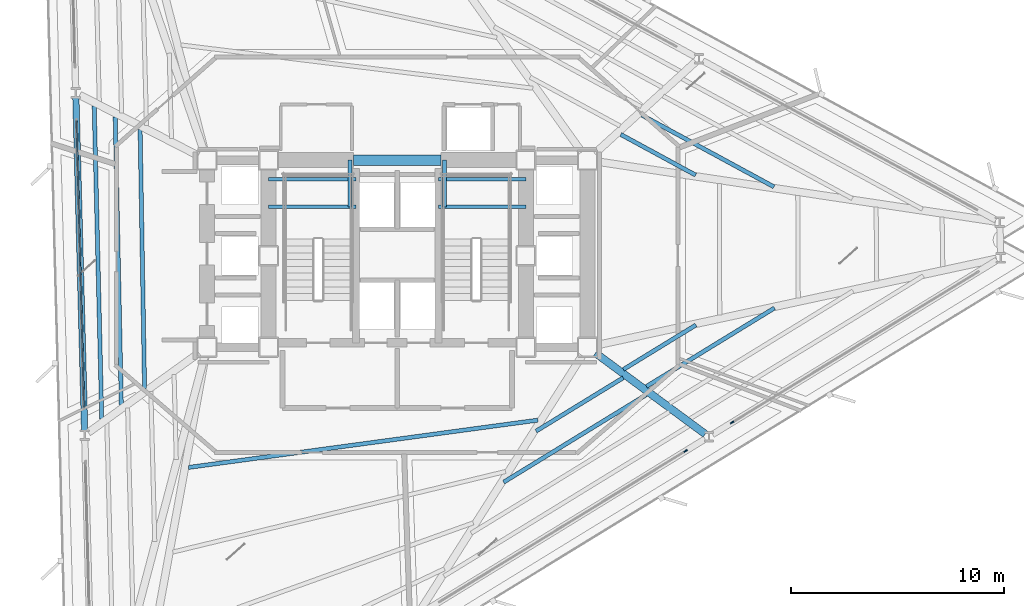
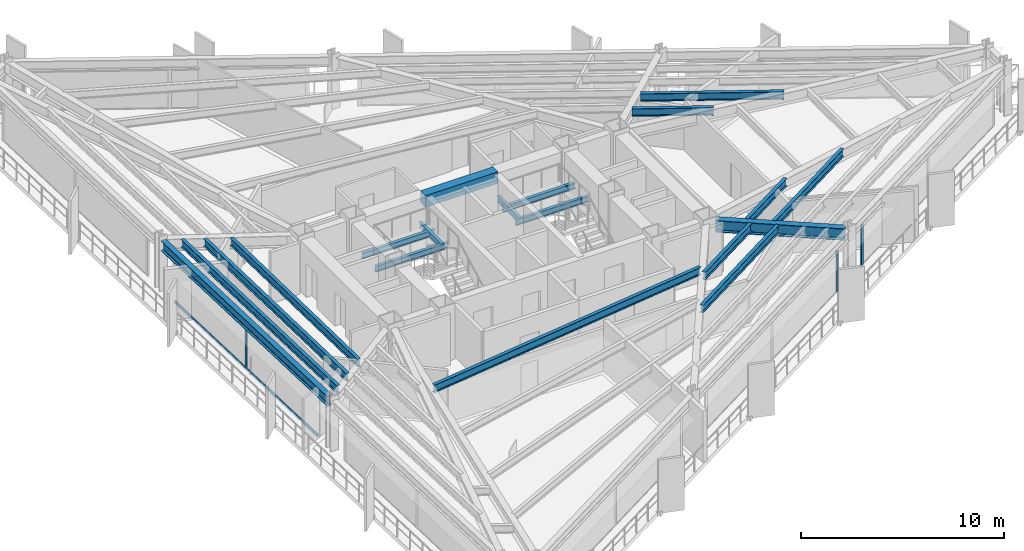
# One storey, part 3 of 14: 19 beams, 7 members, 3 elements without a shape of their own.
"""IFC4 building model written with IfcOpenShell, lengths in metres."""

from ifc_helpers import new_model, si_unit, direction, frame, origin, origin_2d, place, context, subcontext, project, spatial, rectangle, i_section, extrude, material, layer, layer_set, material_profile, profile_set, type_object, element, aggregate, save


model = new_model("IFC4")

# Units and contexts
model_context = context("Model", 3, precision=1e-05, world=origin(), true_north=direction((0.0, 1.0)))
body_context = subcontext(model_context, "Body", "Model", "MODEL_VIEW")
ifc_project = project(units=[si_unit("LENGTHUNIT", "METRE"), si_unit("AREAUNIT", "SQUARE_METRE"), si_unit("VOLUMEUNIT", "CUBIC_METRE"), si_unit("PLANEANGLEUNIT", "RADIAN"), si_unit("MASSUNIT", "GRAM", prefix="KILO")], contexts=[model_context])

# Site, building, storey
site_placement = place(None, origin())
site = spatial("IfcSite", under=ifc_project, at=site_placement, CompositionType="ELEMENT")
building_placement = place(site_placement, origin())
building = spatial("IfcBuilding", under=site, at=building_placement, Name="Rocaltana Carrier Exchange", CompositionType="ELEMENT")
storey_placement = place(building_placement, frame((0.0, 0.0, 25.60009765625)))
storey = spatial("IfcBuildingStorey", under=building, at=storey_placement, Name="L08", CompositionType="ELEMENT", Elevation=25.60009765625)

# Curtain wall, member
ifc_material_1 = material(Name="Aluminium 6063-T6", Category="aluminium")
ifc_layer = layer(ifc_material_1, 0.179931640625)
ifc_layer_set = layer_set([ifc_layer], Name="Aluminium 6063-T6")
curtain_wall_type = type_object("IfcCurtainWallType", Name="Sandstone Spandrel Unitised Curtain Wall CW-01", PredefinedType="NOTDEFINED", material=ifc_layer_set)
curtain_wall_1_placement = place(storey_placement, origin())
curtain_wall_1 = element("IfcCurtainWall", 1, at=curtain_wall_1_placement, inside=storey, type_object=curtain_wall_type, Name="L08 CW-01 Run CW-L08-F2S2", PredefinedType="NOTDEFINED")
ifc_material_2 = material(Name="Aluminium 6063-T6", Category="aluminium")
ifc_material_profile_1 = material_profile(ifc_material_2, rectangle(XDim=0.06494140625, YDim=0.179931640625, at=origin_2d()), Name="AL-65X180")
ifc_profile_set_1 = profile_set([ifc_material_profile_1], Name="Aluminium 6063-T6")
member_type_1 = type_object("IfcMemberType", Name="CW-01 Mullion AL-65X180", PredefinedType="MULLION", material=ifc_profile_set_1)
member_1_placement = place(storey_placement, frame((-14.91064453125, -0.390380859375, 0.0), z_axis=(0.0, 0.0, 1.0), x_axis=(0.99965733548, 0.026176547142, 0.0)))
member_1 = element("IfcMember", 2, at=member_1_placement, type_object=member_type_1, Name="CW-01 mullion 2", PredefinedType="MULLION", context=body_context, shape_type="SweptSolid", body=[
    extrude(rectangle(XDim=0.06494140625, YDim=0.179931640625, at=origin_2d()), origin(), (0.0, 0.0, 1.0), 2.477783203125),
])

curtain_wall_2_placement = place(storey_placement, origin())
curtain_wall_2 = element("IfcCurtainWall", 3, at=curtain_wall_2_placement, inside=storey, type_object=curtain_wall_type, Name="L08 CW-01 Run CW-L08-F3S2", PredefinedType="NOTDEFINED")
member_2_placement = place(storey_placement, frame((13.563720703125, -9.181884765625, 0.0), z_axis=(0.0, 0.0, 1.0), x_axis=(-0.522499812415, 0.852639399762, 0.0)))
member_2 = element("IfcMember", 4, at=member_2_placement, type_object=member_type_1, Name="CW-01 mullion 3", PredefinedType="MULLION", context=body_context, shape_type="SweptSolid", body=[
    extrude(rectangle(XDim=0.06494140625, YDim=0.179931640625, at=origin_2d()), origin(), (0.0, 0.0, 1.0), 2.477783203125),
])
aggregate(curtain_wall_2, [member_2])

curtain_wall_3_placement = place(storey_placement, origin())
curtain_wall_3 = element("IfcCurtainWall", 5, at=curtain_wall_3_placement, inside=storey, type_object=curtain_wall_type, Name="L08 CW-01 Run CW-L08-F3S3", PredefinedType="NOTDEFINED")
member_3_placement = place(storey_placement, frame((15.750732421875, -7.841552734375, 0.0), z_axis=(0.0, 0.0, 1.0), x_axis=(-0.522499812415, 0.852639399762, 0.0)))
member_3 = element("IfcMember", 6, at=member_3_placement, type_object=member_type_1, Name="CW-01 mullion 1", PredefinedType="MULLION", context=body_context, shape_type="SweptSolid", body=[
    extrude(rectangle(XDim=0.06494140625, YDim=0.179931640625, at=origin_2d()), origin(), (0.0, 0.0, 1.0), 2.477783203125),
])
aggregate(curtain_wall_3, [member_3])

# Member
ifc_material_3 = material(Name="Aluminium 6063-T6", Category="aluminium")
ifc_material_profile_2 = material_profile(ifc_material_3, rectangle(XDim=0.06494140625, YDim=0.179931640625, at=origin_2d()), Name="AL-65X180")
ifc_profile_set_2 = profile_set([ifc_material_profile_2], Name="Aluminium 6063-T6")
member_type_2 = type_object("IfcMemberType", Name="CW-01 Transom AL-65X180", PredefinedType="USERDEFINED", material=ifc_profile_set_2)
member_4_placement = place(storey_placement, frame((-15.0869140625, 6.34228515625, 0.032470703125), z_axis=(0.026153417925, -0.999657940863, 0.0), x_axis=(0.999657940863, 0.026153417925, 0.0)))
member_4 = element("IfcMember", 7, at=member_4_placement, type_object=member_type_2, Name="CW-01 transom 1.1", ObjectType="TRANSOM", PredefinedType="USERDEFINED", context=body_context, shape_type="SweptSolid", body=[
    extrude(rectangle(XDim=0.06494140625, YDim=0.179931640625, at=origin_2d()), origin(), (0.0, 0.0, 1.0), 6.702392578125),
])

member_5_placement = place(storey_placement, frame((-15.0869140625, 6.34228515625, 2.4453125), z_axis=(0.026153417925, -0.999657940863, 0.0), x_axis=(0.999657940863, 0.026153417925, 0.0)))
member_5 = element("IfcMember", 8, at=member_5_placement, type_object=member_type_2, Name="CW-01 transom 1.2", ObjectType="TRANSOM", PredefinedType="USERDEFINED", context=body_context, shape_type="SweptSolid", body=[
    extrude(rectangle(XDim=0.06494140625, YDim=0.179931640625, at=origin_2d()), origin(), (0.0, 0.0, 1.0), 6.702392578125),
])

member_6_placement = place(storey_placement, frame((-14.909912109375, -0.4228515625, 0.032470703125), z_axis=(0.026189818331, -0.999656987879, 0.0), x_axis=(0.999656987879, 0.026189818331, 0.0)))
member_6 = element("IfcMember", 9, at=member_6_placement, type_object=member_type_2, Name="CW-01 transom 2.1", ObjectType="TRANSOM", PredefinedType="USERDEFINED", context=body_context, shape_type="SweptSolid", body=[
    extrude(rectangle(XDim=0.06494140625, YDim=0.179931640625, at=origin_2d()), origin(), (0.0, 0.0, 1.0), 6.702392578125),
])

member_7_placement = place(storey_placement, frame((-14.909912109375, -0.4228515625, 2.4453125), z_axis=(0.026189818331, -0.999656987879, 0.0), x_axis=(0.999656987879, 0.026189818331, 0.0)))
member_7 = element("IfcMember", 10, at=member_7_placement, type_object=member_type_2, Name="CW-01 transom 2.2", ObjectType="TRANSOM", PredefinedType="USERDEFINED", context=body_context, shape_type="SweptSolid", body=[
    extrude(rectangle(XDim=0.06494140625, YDim=0.179931640625, at=origin_2d()), origin(), (0.0, 0.0, 1.0), 6.702392578125),
])

aggregate(curtain_wall_1, [member_1, member_4, member_5, member_6, member_7])

# Beams
ifc_material_4 = material(Name="Concrete C60/75", Category="concrete")
ifc_material_profile_3 = material_profile(ifc_material_4, rectangle(XDim=0.5, YDim=0.699951171875, at=origin_2d()), Name="RC-BM-500X700")
ifc_profile_set_3 = profile_set([ifc_material_profile_3], Name="Concrete C60/75")
beam_type_1 = type_object("IfcBeamType", Name="Core Coupling Lintel 500x700", PredefinedType="LINTEL", material=ifc_profile_set_3)
beam_1_placement = place(storey_placement, frame((-2.050048828125, 4.5, 2.747802734375), z_axis=(1.0, 0.0, 0.0), x_axis=(0.0, 1.0, 0.0)))
element("IfcBeam", 11, at=beam_1_placement, inside=storey, type_object=beam_type_1, Name="L08 Core Coupling Lintel CL-N", PredefinedType="LINTEL", context=body_context, shape_type="SweptSolid", body=[
    extrude(rectangle(XDim=0.5, YDim=0.699951171875, at=origin_2d()), origin(), (0.0, 0.0, 1.0), 4.10009765625),
])
ifc_material_5 = material(Name="Steel S355", Category="steel")
ifc_material_profile_4 = material_profile(ifc_material_5, i_section(OverallWidth=0.172119140625, OverallDepth=0.35791015625, WebThickness=0.0078125, FlangeThickness=0.01318359375, FilletRadius=0.011962890625, at=origin_2d()), Name="W14X38")
ifc_profile_set_4 = profile_set([ifc_material_profile_4], Name="Steel S355")
beam_type_2 = type_object("IfcBeamType", Name="Floor Joist W14X38", PredefinedType="JOIST", material=ifc_profile_set_4)
for number, where, z_axis, x_axis, name in (
    (12, (-6.050048828125, 2.300048828125, 1.30078125), (1.0, 0.0, 0.0), (0.0, 1.0, 0.0), "L08 ST-1 Landing Carrier 1"),
    (13, (1.93994140625, 2.300048828125, 1.30078125), (1.0, 0.0, 0.0), (0.0, 1.0, 0.0), "L08 ST-2 Landing Carrier 1"),
    (14, (-6.050048828125, 3.60009765625, 1.30078125), (1.0, 0.0, 0.0), (0.0, 1.0, 0.0), "L08 ST-1 Landing Carrier 2"),
    (15, (1.93994140625, 3.60009765625, 1.30078125), (1.0, 0.0, 0.0), (0.0, 1.0, 0.0), "L08 ST-2 Landing Carrier 2"),
):
    element("IfcBeam", number, at=place(storey_placement, frame(where, z_axis=z_axis, x_axis=x_axis)), inside=storey, type_object=beam_type_2, Name=name, PredefinedType="JOIST", context=body_context, shape_type="SweptSolid", body=[
        extrude(i_section(OverallWidth=0.172119140625, OverallDepth=0.35791015625, WebThickness=0.0078125, FlangeThickness=0.01318359375, FilletRadius=0.011962890625, at=origin_2d()), origin(), (0.0, 0.0, 1.0), 4.110107421875),
    ])
for number, where, z_axis, x_axis, name in (
    (16, (-2.219970703125, 2.300048828125, 1.30078125), (0.0, 1.0, 0.0), (-1.0, 0.0, 0.0), "L08 ST-1 Landing Cross Trimmer"),
    (17, (2.219970703125, 2.300048828125, 1.30078125), (0.0, 1.0, 0.0), (-1.0, 0.0, 0.0), "L08 ST-2 Landing Cross Trimmer"),
):
    element("IfcBeam", number, at=place(storey_placement, frame(where, z_axis=z_axis, x_axis=x_axis)), inside=storey, type_object=beam_type_2, Name=name, PredefinedType="JOIST", context=body_context, shape_type="SweptSolid", body=[
        extrude(i_section(OverallWidth=0.172119140625, OverallDepth=0.35791015625, WebThickness=0.0078125, FlangeThickness=0.01318359375, FilletRadius=0.011962890625, at=origin_2d()), origin(), (0.0, 0.0, 1.0), 2.199951171875),
    ])
ifc_material_6 = material(Name="Steel S355", Category="steel")
ifc_material_profile_5 = material_profile(ifc_material_6, i_section(OverallWidth=0.193115234375, OverallDepth=0.466064453125, WebThickness=0.011474609375, FlangeThickness=0.01904296875, FilletRadius=0.013916015625, at=origin_2d()), Name="W18X65")
ifc_profile_set_5 = profile_set([ifc_material_profile_5], Name="Steel S355")
beam_type_3 = type_object("IfcBeamType", Name="Floor Joist W18X65", PredefinedType="JOIST", material=ifc_profile_set_5)
beam_2_placement = place(storey_placement, frame((14.03466796875, 3.794921875, 2.864990234375), z_axis=(-0.878819095461, 0.477155108381, 0.0), x_axis=(-0.477155108381, -0.878819095461, 0.0)))
element("IfcBeam", 18, at=beam_2_placement, inside=storey, type_object=beam_type_3, Name="FJ-L08-01-1", PredefinedType="JOIST", context=body_context, shape_type="SweptSolid", body=[
    extrude(i_section(OverallWidth=0.193115234375, OverallDepth=0.466064453125, WebThickness=0.011474609375, FlangeThickness=0.01904296875, FilletRadius=0.013916015625, at=origin_2d()), origin(), (0.0, 0.0, 1.0), 4.003662109375),
])
beam_3_placement = place(storey_placement, frame((17.718994140625, 3.240966796875, 2.864990234375), z_axis=(-0.878818644884, 0.477155938247, 0.0), x_axis=(-0.477155938247, -0.878818644884, 0.0)))
element("IfcBeam", 19, at=beam_3_placement, inside=storey, type_object=beam_type_3, Name="FJ-L08-01-2", PredefinedType="JOIST", context=body_context, shape_type="SweptSolid", body=[
    extrude(i_section(OverallWidth=0.193115234375, OverallDepth=0.466064453125, WebThickness=0.011474609375, FlangeThickness=0.01904296875, FilletRadius=0.013916015625, at=origin_2d()), origin(), (0.0, 0.0, 1.0), 7.06298828125),
])
beam_4_placement = place(storey_placement, frame((-12.094482421875, 5.9384765625, 2.864990234375), z_axis=(0.01715934819, -0.999852767546, 0.0), x_axis=(0.999852767546, 0.01715934819, 0.0)))
element("IfcBeam", 20, at=beam_4_placement, inside=storey, type_object=beam_type_3, Name="FJ-L08-06-2", PredefinedType="JOIST", context=body_context, shape_type="SweptSolid", body=[
    extrude(i_section(OverallWidth=0.193115234375, OverallDepth=0.466064453125, WebThickness=0.011474609375, FlangeThickness=0.01904296875, FilletRadius=0.013916015625, at=origin_2d()), origin(), (0.0, 0.0, 1.0), 12.178955078125),
])
beam_5_placement = place(storey_placement, frame((-13.266357421875, 6.538330078125, 2.864990234375), z_axis=(0.021217434782, -0.999774884892, 0.0), x_axis=(0.999774884892, 0.021217434782, 0.0)))
element("IfcBeam", 21, at=beam_5_placement, inside=storey, type_object=beam_type_3, Name="FJ-L08-06-3", PredefinedType="JOIST", context=body_context, shape_type="SweptSolid", body=[
    extrude(i_section(OverallWidth=0.193115234375, OverallDepth=0.466064453125, WebThickness=0.011474609375, FlangeThickness=0.01904296875, FilletRadius=0.013916015625, at=origin_2d()), origin(), (0.0, 0.0, 1.0), 13.56640625),
])
beam_6_placement = place(storey_placement, frame((-14.25341796875, 7.04345703125, 2.864990234375), z_axis=(0.024041709719, -0.999710956324, 0.0), x_axis=(0.999710956324, 0.024041709719, 0.0)))
element("IfcBeam", 22, at=beam_6_placement, inside=storey, type_object=beam_type_3, Name="FJ-L08-06-4", PredefinedType="JOIST", context=body_context, shape_type="SweptSolid", body=[
    extrude(i_section(OverallWidth=0.193115234375, OverallDepth=0.466064453125, WebThickness=0.011474609375, FlangeThickness=0.01904296875, FilletRadius=0.013916015625, at=origin_2d()), origin(), (0.0, 0.0, 1.0), 14.734619140625),
])
beam_7_placement = place(storey_placement, frame((-9.819091796875, -9.956787109375, 2.864990234375), z_axis=(0.990955694238, 0.13418946329, 0.0), x_axis=(-0.13418946329, 0.990955694238, 0.0)))
element("IfcBeam", 23, at=beam_7_placement, inside=storey, type_object=beam_type_3, Name="FJ-L08-09-1", PredefinedType="JOIST", context=body_context, shape_type="SweptSolid", body=[
    extrude(i_section(OverallWidth=0.193115234375, OverallDepth=0.466064453125, WebThickness=0.011474609375, FlangeThickness=0.01904296875, FilletRadius=0.013916015625, at=origin_2d()), origin(), (0.0, 0.0, 1.0), 16.58349609375),
])
beam_8_placement = place(storey_placement, frame((6.52978515625, -8.25, 2.864990234375), z_axis=(0.852639920922, 0.522498961961, 0.0), x_axis=(-0.522498961961, 0.852639920922, 0.0)))
element("IfcBeam", 24, at=beam_8_placement, inside=storey, type_object=beam_type_3, Name="FJ-L08-10-1", PredefinedType="JOIST", context=body_context, shape_type="SweptSolid", body=[
    extrude(i_section(OverallWidth=0.193115234375, OverallDepth=0.466064453125, WebThickness=0.011474609375, FlangeThickness=0.01904296875, FilletRadius=0.013916015625, at=origin_2d()), origin(), (0.0, 0.0, 1.0), 4.80908203125),
])
beam_9_placement = place(storey_placement, frame((5.005859375, -10.648681640625, 2.864990234375), z_axis=(0.852633806111, 0.522508940283, 0.0), x_axis=(-0.522508940283, 0.852633806111, 0.0)))
element("IfcBeam", 25, at=beam_9_placement, inside=storey, type_object=beam_type_3, Name="FJ-L08-10-2", PredefinedType="JOIST", context=body_context, shape_type="SweptSolid", body=[
    extrude(i_section(OverallWidth=0.193115234375, OverallDepth=0.466064453125, WebThickness=0.011474609375, FlangeThickness=0.01904296875, FilletRadius=0.013916015625, at=origin_2d()), origin(), (0.0, 0.0, 1.0), 7.867919921875),
])
beam_10_placement = place(storey_placement, frame((10.63720703125, -5.34765625, 2.864990234375), z_axis=(0.852634552526, 0.522507722277, 0.0), x_axis=(-0.522507722277, 0.852634552526, 0.0)))
element("IfcBeam", 26, at=beam_10_placement, inside=storey, type_object=beam_type_3, Name="FJ-L08-11-1", PredefinedType="JOIST", context=body_context, shape_type="SweptSolid", body=[
    extrude(i_section(OverallWidth=0.193115234375, OverallDepth=0.466064453125, WebThickness=0.011474609375, FlangeThickness=0.01904296875, FilletRadius=0.013916015625, at=origin_2d()), origin(), (0.0, 0.0, 1.0), 4.00390625),
])
beam_11_placement = place(storey_placement, frame((11.721435546875, -6.147705078125, 2.864990234375), z_axis=(0.85265490201, 0.522474514286, 0.0), x_axis=(-0.522474514286, 0.85265490201, 0.0)))
element("IfcBeam", 27, at=beam_11_placement, inside=storey, type_object=beam_type_3, Name="FJ-L08-11-2", PredefinedType="JOIST", context=body_context, shape_type="SweptSolid", body=[
    extrude(i_section(OverallWidth=0.193115234375, OverallDepth=0.466064453125, WebThickness=0.011474609375, FlangeThickness=0.01904296875, FilletRadius=0.013916015625, at=origin_2d()), origin(), (0.0, 0.0, 1.0), 7.06298828125),
])
ifc_material_7 = material(Name="Steel S355", Category="steel")
ifc_material_profile_6 = material_profile(ifc_material_7, i_section(OverallWidth=0.35498046875, OverallDepth=0.695068359375, WebThickness=0.015380859375, FlangeThickness=0.02490234375, FilletRadius=0.01806640625, at=origin_2d()), Name="W27X146")
ifc_profile_set_6 = profile_set([ifc_material_profile_6], Name="Steel S355")
beam_type_4 = type_object("IfcBeamType", Name="Radial Girder W27X146", PredefinedType="BEAM", material=ifc_profile_set_6)
beam_12_placement = place(storey_placement, frame((9.32568359375, -4.577392578125, 2.75048828125), z_axis=(0.804632064785, -0.593773728216, 0.0), x_axis=(0.593773728216, 0.804632064785, 0.0)))
element("IfcBeam", 28, at=beam_12_placement, inside=storey, type_object=beam_type_4, Name="RG-L08-11", PredefinedType="BEAM", context=body_context, shape_type="SweptSolid", body=[
    extrude(i_section(OverallWidth=0.35498046875, OverallDepth=0.695068359375, WebThickness=0.015380859375, FlangeThickness=0.02490234375, FilletRadius=0.01806640625, at=origin_2d()), origin(), (0.0, 0.0, 1.0), 6.41796875),
])
ifc_material_8 = material(Name="Steel S355", Category="steel")
ifc_material_profile_7 = material_profile(ifc_material_8, i_section(OverallWidth=0.300048828125, OverallDepth=0.60009765625, WebThickness=0.015380859375, FlangeThickness=0.030029296875, FilletRadius=0.027099609375, at=origin_2d()), Name="HEB600")
ifc_profile_set_7 = profile_set([ifc_material_profile_7], Name="Steel S355")
beam_type_5 = type_object("IfcBeamType", Name="Spandrel Edge Beam HEB600", PredefinedType="SPANDREL", material=ifc_profile_set_7)
beam_13_placement = place(storey_placement, frame((-15.115966796875, 7.448974609375, 2.7978515625), z_axis=(0.026182238984, -0.99965718642, 0.0), x_axis=(0.99965718642, 0.026182238984, 0.0)))
element("IfcBeam", 29, at=beam_13_placement, inside=storey, type_object=beam_type_5, Name="SP-L08-06", PredefinedType="SPANDREL", context=body_context, shape_type="SweptSolid", body=[
    extrude(i_section(OverallWidth=0.300048828125, OverallDepth=0.60009765625, WebThickness=0.015380859375, FlangeThickness=0.030029296875, FilletRadius=0.027099609375, at=origin_2d()), origin(), (0.0, 0.0, 1.0), 15.68408203125),
])

save(model, "model.ifc")
